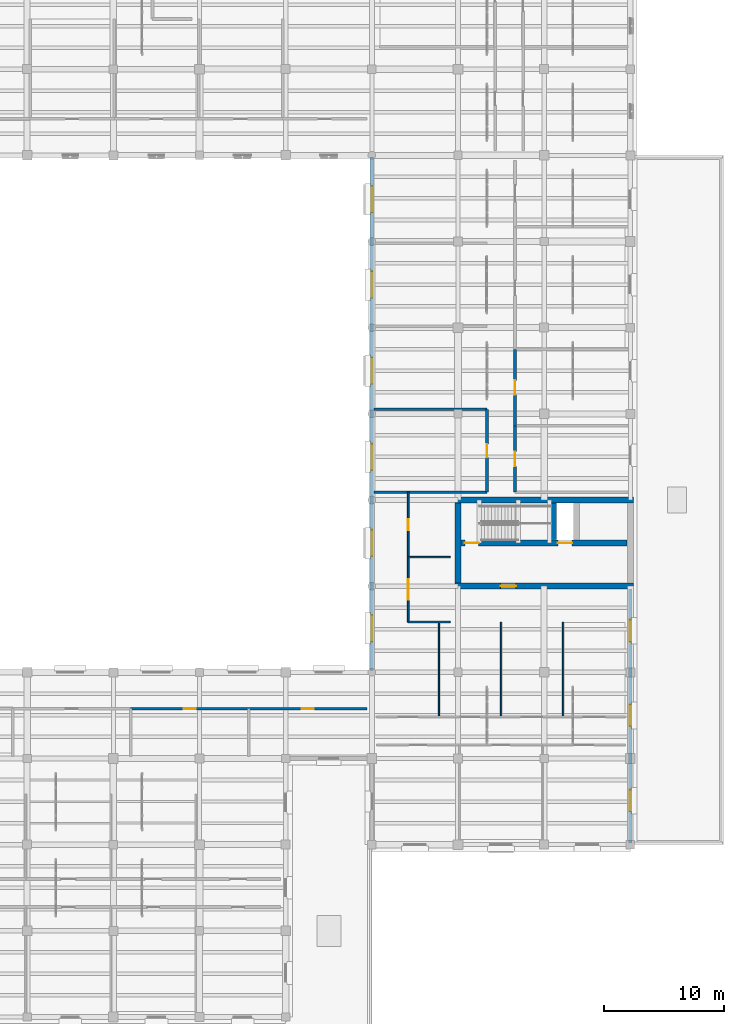
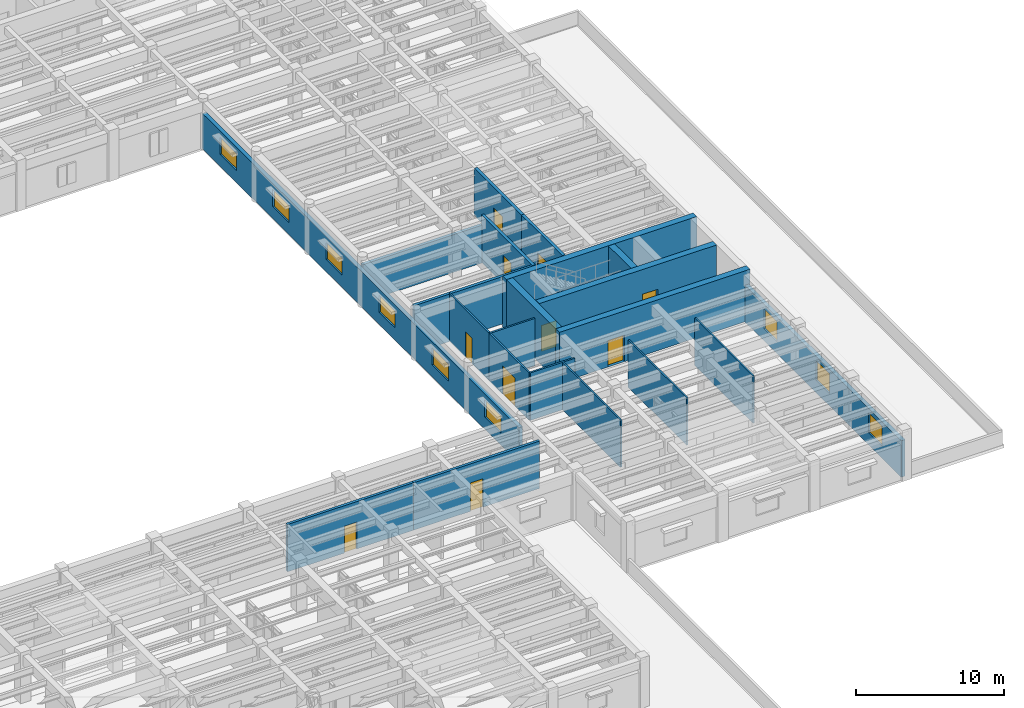
# One storey, part 60 of 76: 21 walls, 10 doors, 9 windows, 19 openings.
"""IFC4 building model written with IfcOpenShell, lengths in metres."""

from ifc_helpers import new_model, si_unit, direction, frame, frame_2d, origin, place, context, subcontext, project, spatial, rectangle, extrude, material, layer, layer_set, type_object, element, fill, save


model = new_model("IFC4")

# Units and contexts
model_context = context("Model", 3, precision=1e-05, world=origin(), true_north=direction((0.0, 1.0)))
body_context = subcontext(model_context, "Body", "Model", "MODEL_VIEW")
ifc_project = project(units=[si_unit("LENGTHUNIT", "METRE"), si_unit("AREAUNIT", "SQUARE_METRE"), si_unit("VOLUMEUNIT", "CUBIC_METRE"), si_unit("PLANEANGLEUNIT", "RADIAN"), si_unit("MASSUNIT", "GRAM", prefix="KILO")], contexts=[model_context])

# Site, building, storey
site_placement = place(None, origin())
site = spatial("IfcSite", under=ifc_project, at=site_placement, CompositionType="ELEMENT")
building_placement = place(site_placement, origin())
building = spatial("IfcBuilding", under=site, at=building_placement, Name="Mithqara Police Headquarters", CompositionType="ELEMENT")
storey_placement = place(building_placement, frame((0.0, 0.0, 5.39990234375)))
storey = spatial("IfcBuildingStorey", under=building, at=storey_placement, Name="L01", CompositionType="ELEMENT", Elevation=5.39990234375)

# Wall, openings, windows
ifc_material_1 = material(Name="Ochre masonry cavity wall, 35 MPa", Category="masonry")
ifc_layer_1 = layer(ifc_material_1, 0.300048828125, Name="Ochre masonry cavity wall, 35 MPa")
ifc_layer_set_1 = layer_set([ifc_layer_1], Name="Ochre masonry cavity wall, 35 MPa")
wall_type_1 = type_object("IfcWallType", Name="EXT WALL OCHRE BRICK300", PredefinedType="SOLIDWALL", material=ifc_layer_set_1)
wall_1_placement = place(storey_placement, frame((166.199951171875, 21.14990234375, 0.0), z_axis=(0.0, 0.0, 1.0), x_axis=(0.0, 1.0, 0.0)))
wall_1 = element("IfcWall", 1, at=wall_1_placement, inside=storey, type_object=wall_type_1, Name="L01 Exterior Wall 7.1", PredefinedType="SOLIDWALL", context=body_context, shape_type="SweptSolid", body=[
    extrude(rectangle(XDim=21.2001953125, YDim=0.300048828125, at=frame_2d((10.60009765625, 0.0))), origin(), (0.0, 0.0, 1.0), 3.02001953125),
])
opening_1_placement = place(wall_1_placement, frame((2.625, 0.0, 1.0)))
opening_1 = element("IfcOpeningElement", 2, at=opening_1_placement, cuts=wall_1, Name="Opening W-32", PredefinedType="OPENING", context=body_context, shape_type="SweptSolid", body=[
    extrude(rectangle(XDim=1.800048828125, YDim=1.64990234375, at=frame_2d((0.89990234375, 0.824951171875))), frame((0.0, 0.16015625, 0.0), z_axis=(0.0, -1.0, 0.0), x_axis=(1.0, 0.0, 0.0)), (0.0, 0.0, 1.0), 0.320068359375),
])
opening_2_placement = place(wall_1_placement, frame((9.75, 0.0, 1.0)))
opening_2 = element("IfcOpeningElement", 3, at=opening_2_placement, cuts=wall_1, Name="Opening W-32", PredefinedType="OPENING", context=body_context, shape_type="SweptSolid", body=[
    extrude(rectangle(XDim=1.800048828125, YDim=1.64990234375, at=frame_2d((0.89990234375, 0.824951171875))), frame((0.0, 0.16015625, 0.0), z_axis=(0.0, -1.0, 0.0), x_axis=(1.0, 0.0, 0.0)), (0.0, 0.0, 1.0), 0.320068359375),
])
opening_3_placement = place(wall_1_placement, frame((16.824951171875, 0.0, 1.0)))
opening_3 = element("IfcOpeningElement", 4, at=opening_3_placement, cuts=wall_1, Name="Opening W-32", PredefinedType="OPENING", context=body_context, shape_type="SweptSolid", body=[
    extrude(rectangle(XDim=1.800048828125, YDim=1.64990234375, at=frame_2d((0.89990234375, 0.824951171875))), frame((0.0, 0.16015625, 0.0), z_axis=(0.0, -1.0, 0.0), x_axis=(1.0, 0.0, 0.0)), (0.0, 0.0, 1.0), 0.320068359375),
])
ifc_material_2 = material(Name="Spectrally selective double low-e glass", Category="glass")
window_type_1 = type_object("IfcWindowType", Name="WINDOW 1800X1650", PartitioningType="DOUBLE_PANEL_VERTICAL", PredefinedType="WINDOW", material=ifc_material_2)
window_1_placement = place(opening_1_placement, origin())
window_1 = element("IfcWindow", 5, at=window_1_placement, inside=storey, type_object=window_type_1, Name="L01 Deep-Set Punched Window 7.1", OverallHeight=1.64990234375, OverallWidth=1.800048828125, PartitioningType="SINGLE_PANEL", PredefinedType="WINDOW", context=body_context, shape_type="SweptSolid", body=[
    extrude(rectangle(XDim=1.800048828125, YDim=1.64990234375, at=frame_2d((0.89990234375, 0.824951171875))), frame((0.0, 0.030029296875, 0.0), z_axis=(0.0, -1.0, 0.0), x_axis=(1.0, 0.0, 0.0)), (0.0, 0.0, 1.0), 0.06005859375),
])
fill(opening_1, window_1)
window_2_placement = place(opening_2_placement, origin())
window_2 = element("IfcWindow", 6, at=window_2_placement, inside=storey, type_object=window_type_1, Name="L01 Deep-Set Punched Window 7.2", OverallHeight=1.64990234375, OverallWidth=1.800048828125, PartitioningType="SINGLE_PANEL", PredefinedType="WINDOW", context=body_context, shape_type="SweptSolid", body=[
    extrude(rectangle(XDim=1.800048828125, YDim=1.64990234375, at=frame_2d((0.89990234375, 0.824951171875))), frame((0.0, 0.030029296875, 0.0), z_axis=(0.0, -1.0, 0.0), x_axis=(1.0, 0.0, 0.0)), (0.0, 0.0, 1.0), 0.06005859375),
])
fill(opening_2, window_2)
window_3_placement = place(opening_3_placement, origin())
window_3 = element("IfcWindow", 7, at=window_3_placement, inside=storey, type_object=window_type_1, Name="L01 Deep-Set Punched Window 7.3", OverallHeight=1.64990234375, OverallWidth=1.800048828125, PartitioningType="SINGLE_PANEL", PredefinedType="WINDOW", context=body_context, shape_type="SweptSolid", body=[
    extrude(rectangle(XDim=1.800048828125, YDim=1.64990234375, at=frame_2d((0.89990234375, 0.824951171875))), frame((0.0, 0.030029296875, 0.0), z_axis=(0.0, -1.0, 0.0), x_axis=(1.0, 0.0, 0.0)), (0.0, 0.0, 1.0), 0.06005859375),
])
fill(opening_3, window_3)

wall_2_placement = place(storey_placement, frame((144.60009765625, 78.449951171875, 0.0), z_axis=(0.0, 0.0, 1.0), x_axis=(0.0, -1.0, 0.0)))
wall_2 = element("IfcWall", 8, at=wall_2_placement, inside=storey, type_object=wall_type_1, Name="L01 Exterior Wall 4.1", PredefinedType="SOLIDWALL", context=body_context, shape_type="SweptSolid", body=[
    extrude(rectangle(XDim=42.89990234375, YDim=0.300048828125, at=frame_2d((21.449951171875, 0.0))), origin(), (0.0, 0.0, 1.0), 2.920166015625),
])
opening_4_placement = place(wall_2_placement, frame((38.27490234375, 0.0, 1.0)))
opening_4 = element("IfcOpeningElement", 9, at=opening_4_placement, cuts=wall_2, Name="Opening W-41", PredefinedType="OPENING", context=body_context, shape_type="SweptSolid", body=[
    extrude(rectangle(XDim=2.199951171875, YDim=1.39990234375, at=frame_2d((1.10009765625, 0.699951171875))), frame((0.0, 0.16015625, 0.0), z_axis=(0.0, -1.0, 0.0), x_axis=(1.0, 0.0, 0.0)), (0.0, 0.0, 1.0), 0.320068359375),
])
opening_5_placement = place(wall_2_placement, frame((31.14990234375, 0.0, 1.0)))
opening_5 = element("IfcOpeningElement", 10, at=opening_5_placement, cuts=wall_2, Name="Opening W-41", PredefinedType="OPENING", context=body_context, shape_type="SweptSolid", body=[
    extrude(rectangle(XDim=2.199951171875, YDim=1.39990234375, at=frame_2d((1.10009765625, 0.699951171875))), frame((0.0, 0.16015625, 0.0), z_axis=(0.0, -1.0, 0.0), x_axis=(1.0, 0.0, 0.0)), (0.0, 0.0, 1.0), 0.320068359375),
])
opening_6_placement = place(wall_2_placement, frame((23.949951171875, 0.0, 1.0)))
opening_6 = element("IfcOpeningElement", 11, at=opening_6_placement, cuts=wall_2, Name="Opening W-41", PredefinedType="OPENING", context=body_context, shape_type="SweptSolid", body=[
    extrude(rectangle(XDim=2.199951171875, YDim=1.39990234375, at=frame_2d((1.10009765625, 0.699951171875))), frame((0.0, 0.16015625, 0.0), z_axis=(0.0, -1.0, 0.0), x_axis=(1.0, 0.0, 0.0)), (0.0, 0.0, 1.0), 0.320068359375),
])
opening_7_placement = place(wall_2_placement, frame((16.75, 0.0, 1.0)))
opening_7 = element("IfcOpeningElement", 12, at=opening_7_placement, cuts=wall_2, Name="Opening W-41", PredefinedType="OPENING", context=body_context, shape_type="SweptSolid", body=[
    extrude(rectangle(XDim=2.199951171875, YDim=1.39990234375, at=frame_2d((1.10009765625, 0.699951171875))), frame((0.0, 0.16015625, 0.0), z_axis=(0.0, -1.0, 0.0), x_axis=(1.0, 0.0, 0.0)), (0.0, 0.0, 1.0), 0.320068359375),
])
opening_8_placement = place(wall_2_placement, frame((9.550048828125, 0.0, 1.0)))
opening_8 = element("IfcOpeningElement", 13, at=opening_8_placement, cuts=wall_2, Name="Opening W-41", PredefinedType="OPENING", context=body_context, shape_type="SweptSolid", body=[
    extrude(rectangle(XDim=2.199951171875, YDim=1.39990234375, at=frame_2d((1.10009765625, 0.699951171875))), frame((0.0, 0.16015625, 0.0), z_axis=(0.0, -1.0, 0.0), x_axis=(1.0, 0.0, 0.0)), (0.0, 0.0, 1.0), 0.320068359375),
])
opening_9_placement = place(wall_2_placement, frame((2.425048828125, 0.0, 1.0)))
opening_9 = element("IfcOpeningElement", 14, at=opening_9_placement, cuts=wall_2, Name="Opening W-41", PredefinedType="OPENING", context=body_context, shape_type="SweptSolid", body=[
    extrude(rectangle(XDim=2.199951171875, YDim=1.39990234375, at=frame_2d((1.10009765625, 0.699951171875))), frame((0.0, 0.16015625, 0.0), z_axis=(0.0, -1.0, 0.0), x_axis=(1.0, 0.0, 0.0)), (0.0, 0.0, 1.0), 0.320068359375),
])
window_type_2 = type_object("IfcWindowType", Name="WINDOW 2200X1400", PartitioningType="DOUBLE_PANEL_VERTICAL", PredefinedType="WINDOW", material=ifc_material_2)
window_4_placement = place(opening_4_placement, origin())
window_4 = element("IfcWindow", 15, at=window_4_placement, inside=storey, type_object=window_type_2, Name="L01 Deep-Set Punched Window 4.1", OverallHeight=1.39990234375, OverallWidth=2.199951171875, PartitioningType="SINGLE_PANEL", PredefinedType="WINDOW", context=body_context, shape_type="SweptSolid", body=[
    extrude(rectangle(XDim=2.199951171875, YDim=1.39990234375, at=frame_2d((1.10009765625, 0.699951171875))), frame((0.0, 0.030029296875, 0.0), z_axis=(0.0, -1.0, 0.0), x_axis=(1.0, 0.0, 0.0)), (0.0, 0.0, 1.0), 0.06005859375),
])
fill(opening_4, window_4)
window_5_placement = place(opening_5_placement, origin())
window_5 = element("IfcWindow", 16, at=window_5_placement, inside=storey, type_object=window_type_2, Name="L01 Deep-Set Punched Window 4.2", OverallHeight=1.39990234375, OverallWidth=2.199951171875, PartitioningType="SINGLE_PANEL", PredefinedType="WINDOW", context=body_context, shape_type="SweptSolid", body=[
    extrude(rectangle(XDim=2.199951171875, YDim=1.39990234375, at=frame_2d((1.10009765625, 0.699951171875))), frame((0.0, 0.030029296875, 0.0), z_axis=(0.0, -1.0, 0.0), x_axis=(1.0, 0.0, 0.0)), (0.0, 0.0, 1.0), 0.06005859375),
])
fill(opening_5, window_5)
window_6_placement = place(opening_6_placement, origin())
window_6 = element("IfcWindow", 17, at=window_6_placement, inside=storey, type_object=window_type_2, Name="L01 Deep-Set Punched Window 4.3", OverallHeight=1.39990234375, OverallWidth=2.199951171875, PartitioningType="SINGLE_PANEL", PredefinedType="WINDOW", context=body_context, shape_type="SweptSolid", body=[
    extrude(rectangle(XDim=2.199951171875, YDim=1.39990234375, at=frame_2d((1.10009765625, 0.699951171875))), frame((0.0, 0.030029296875, 0.0), z_axis=(0.0, -1.0, 0.0), x_axis=(1.0, 0.0, 0.0)), (0.0, 0.0, 1.0), 0.06005859375),
])
fill(opening_6, window_6)
window_7_placement = place(opening_7_placement, origin())
window_7 = element("IfcWindow", 18, at=window_7_placement, inside=storey, type_object=window_type_2, Name="L01 Deep-Set Punched Window 4.4", OverallHeight=1.39990234375, OverallWidth=2.199951171875, PartitioningType="SINGLE_PANEL", PredefinedType="WINDOW", context=body_context, shape_type="SweptSolid", body=[
    extrude(rectangle(XDim=2.199951171875, YDim=1.39990234375, at=frame_2d((1.10009765625, 0.699951171875))), frame((0.0, 0.030029296875, 0.0), z_axis=(0.0, -1.0, 0.0), x_axis=(1.0, 0.0, 0.0)), (0.0, 0.0, 1.0), 0.06005859375),
])
fill(opening_7, window_7)
window_8_placement = place(opening_8_placement, origin())
window_8 = element("IfcWindow", 19, at=window_8_placement, inside=storey, type_object=window_type_2, Name="L01 Deep-Set Punched Window 4.5", OverallHeight=1.39990234375, OverallWidth=2.199951171875, PartitioningType="SINGLE_PANEL", PredefinedType="WINDOW", context=body_context, shape_type="SweptSolid", body=[
    extrude(rectangle(XDim=2.199951171875, YDim=1.39990234375, at=frame_2d((1.10009765625, 0.699951171875))), frame((0.0, 0.030029296875, 0.0), z_axis=(0.0, -1.0, 0.0), x_axis=(1.0, 0.0, 0.0)), (0.0, 0.0, 1.0), 0.06005859375),
])
fill(opening_8, window_8)
window_9_placement = place(opening_9_placement, origin())
window_9 = element("IfcWindow", 20, at=window_9_placement, inside=storey, type_object=window_type_2, Name="L01 Deep-Set Punched Window 4.6", OverallHeight=1.39990234375, OverallWidth=2.199951171875, PartitioningType="SINGLE_PANEL", PredefinedType="WINDOW", context=body_context, shape_type="SweptSolid", body=[
    extrude(rectangle(XDim=2.199951171875, YDim=1.39990234375, at=frame_2d((1.10009765625, 0.699951171875))), frame((0.0, 0.030029296875, 0.0), z_axis=(0.0, -1.0, 0.0), x_axis=(1.0, 0.0, 0.0)), (0.0, 0.0, 1.0), 0.06005859375),
])
fill(opening_9, window_9)

# Walls
ifc_material_3 = material(Name="Gypsum acoustic stud partition", Category="gypsum")
ifc_layer_2 = layer(ifc_material_3, 0.1201171875, Name="Gypsum acoustic stud partition")
ifc_layer_set_2 = layer_set([ifc_layer_2], Name="Gypsum acoustic stud partition")
wall_type_2 = type_object("IfcWallType", Name="PART WALL 120", PredefinedType="PARTITIONING", material=ifc_layer_set_2)
for number, where, z_axis, x_axis, name in (
    (21, (150.2099609375, 31.679931640625, 0.0), (0.0, 0.0, 1.0), (0.0, 1.0, 0.0), "L01 Room Partition Photography Darkroom"),
    (22, (155.39990234375, 31.679931640625, 0.0), (0.0, 0.0, 1.0), (0.0, 1.0, 0.0), "L01 Room Partition Forensic Laboratory"),
    (23, (160.590087890625, 31.679931640625, 0.0), (0.0, 0.0, 1.0), (0.0, 1.0, 0.0), "L01 Room Partition Latent Prints Laboratory"),
):
    element("IfcWall", number, at=place(storey_placement, frame(where, z_axis=z_axis, x_axis=x_axis)), inside=storey, type_object=wall_type_2, Name=name, PredefinedType="PARTITIONING", context=body_context, shape_type="SweptSolid", body=[
        extrude(rectangle(XDim=7.920166015625, YDim=0.1201171875, at=frame_2d((3.9599609375, 0.0))), origin(), (0.0, 0.0, 1.0), 3.920166015625),
    ])
ifc_layer_3 = layer(ifc_material_3, 0.139892578125, Name="Gypsum acoustic stud partition")
ifc_layer_set_3 = layer_set([ifc_layer_3], Name="Gypsum acoustic stud partition")
wall_type_3 = type_object("IfcWallType", Name="PART WALL 140", PredefinedType="PARTITIONING", material=ifc_layer_set_3)
wall_3_placement = place(storey_placement, frame((147.639892578125, 39.60009765625, 0.0), z_axis=(0.0, 0.0, 1.0), x_axis=(1.0, 0.0, 0.0)))
element("IfcWall", 24, at=wall_3_placement, inside=storey, type_object=wall_type_3, Name="L01 Partition End Closure E0", PredefinedType="PARTITIONING", context=body_context, shape_type="SweptSolid", body=[
    extrude(rectangle(XDim=3.510009765625, YDim=0.139892578125, at=frame_2d((1.7548828125, 0.0))), origin(), (0.0, 0.0, 1.0), 3.920166015625),
])

# Wall, opening, door
wall_4_placement = place(storey_placement, frame((147.639892578125, 39.60009765625, 0.0), z_axis=(0.0, 0.0, 1.0), x_axis=(0.0, 1.0, 0.0)))
wall_4 = element("IfcWall", 25, at=wall_4_placement, inside=storey, type_object=wall_type_3, Name="L01 Corridor Wall Forensic Laboratory", PredefinedType="PARTITIONING", context=body_context, shape_type="SweptSolid", body=[
    extrude(rectangle(XDim=5.4248046875, YDim=0.139892578125, at=frame_2d((2.71240234375, 0.0))), origin(), (0.0, 0.0, 1.0), 3.920166015625),
])
opening_10_placement = place(wall_4_placement, frame((1.8525390625, 0.0, 0.0)))
opening_10 = element("IfcOpeningElement", 26, at=opening_10_placement, cuts=wall_4, Name="Opening D-24", PredefinedType="OPENING", context=body_context, shape_type="SweptSolid", body=[
    extrude(rectangle(XDim=1.719970703125, YDim=2.35009765625, at=frame_2d((0.85986328125, 1.175048828125))), frame((0.0, 0.080078125, 0.0), z_axis=(0.0, -1.0, 0.0), x_axis=(1.0, 0.0, 0.0)), (0.0, 0.0, 1.0), 0.159912109375),
])
ifc_material_4 = material(Name="Bronze anodised aluminium 6063-T6", Category="aluminium")
door_type_1 = type_object("IfcDoorType", Name="INT DOOR 1720X2350", OperationType="NOTDEFINED", PredefinedType="DOOR", material=ifc_material_4)
door_1_placement = place(opening_10_placement, origin())
door_1 = element("IfcDoor", 27, at=door_1_placement, inside=storey, type_object=door_type_1, Name="Forensic Laboratory Entry Door", OperationType="DOUBLE_DOOR_SINGLE_SWING", OverallHeight=2.35009765625, OverallWidth=1.719970703125, PredefinedType="DOOR", context=body_context, shape_type="SweptSolid", body=[
    extrude(rectangle(XDim=1.719970703125, YDim=2.35009765625, at=frame_2d((0.85986328125, 1.175048828125))), frame((0.0, 0.02490234375, 0.0), z_axis=(0.0, -1.0, 0.0), x_axis=(1.0, 0.0, 0.0)), (0.0, 0.0, 1.0), 0.050048828125),
])
fill(opening_10, door_1)

# Wall
wall_5_placement = place(storey_placement, frame((147.639892578125, 45.02490234375, 0.0), z_axis=(0.0, 0.0, 1.0), x_axis=(1.0, 0.0, 0.0)))
element("IfcWall", 28, at=wall_5_placement, inside=storey, type_object=wall_type_3, Name="L01 Room Partition Forensic Laboratory", PredefinedType="PARTITIONING", context=body_context, shape_type="SweptSolid", body=[
    extrude(rectangle(XDim=3.510009765625, YDim=0.139892578125, at=frame_2d((1.7548828125, 0.0))), origin(), (0.0, 0.0, 1.0), 3.920166015625),
])

# Wall, opening, door
wall_6_placement = place(storey_placement, frame((147.639892578125, 45.02490234375, 0.0), z_axis=(0.0, 0.0, 1.0), x_axis=(0.0, 1.0, 0.0)))
wall_6 = element("IfcWall", 29, at=wall_6_placement, inside=storey, type_object=wall_type_3, Name="L01 Corridor Wall Latent Prints Laboratory", PredefinedType="PARTITIONING", context=body_context, shape_type="SweptSolid", body=[
    extrude(rectangle(XDim=5.425048828125, YDim=0.139892578125, at=frame_2d((2.71240234375, 0.0))), origin(), (0.0, 0.0, 1.0), 3.920166015625),
])
opening_11_placement = place(wall_6_placement, frame((2.25244140625, 0.0, 0.0)))
opening_11 = element("IfcOpeningElement", 30, at=opening_11_placement, cuts=wall_6, Name="Opening D-01", PredefinedType="OPENING", context=body_context, shape_type="SweptSolid", body=[
    extrude(rectangle(XDim=0.919921875, YDim=2.10009765625, at=frame_2d((0.4599609375, 1.050048828125))), frame((0.0, 0.080078125, 0.0), z_axis=(0.0, -1.0, 0.0), x_axis=(1.0, 0.0, 0.0)), (0.0, 0.0, 1.0), 0.159912109375),
])
ifc_material_5 = material(Name="Acoustic solid-core timber leaf", Category="wood")
door_type_2 = type_object("IfcDoorType", Name="INT DOOR 920X2100", OperationType="NOTDEFINED", PredefinedType="DOOR", material=ifc_material_5)
door_2_placement = place(opening_11_placement, origin())
door_2 = element("IfcDoor", 31, at=door_2_placement, inside=storey, type_object=door_type_2, Name="Latent Prints Laboratory Entry Door", OperationType="SINGLE_SWING_RIGHT", OverallHeight=2.10009765625, OverallWidth=0.919921875, PredefinedType="DOOR", context=body_context, shape_type="SweptSolid", body=[
    extrude(rectangle(XDim=0.919921875, YDim=2.10009765625, at=frame_2d((0.4599609375, 1.050048828125))), frame((0.0, 0.02490234375, 0.0), z_axis=(0.0, -1.0, 0.0), x_axis=(1.0, 0.0, 0.0)), (0.0, 0.0, 1.0), 0.050048828125),
])
fill(opening_11, door_2)

ifc_material_6 = material(Name="Concrete C40/50", Category="concrete")
ifc_layer_4 = layer(ifc_material_6, 0.2099609375, Name="Concrete C40/50")
ifc_layer_set_4 = layer_set([ifc_layer_4], Name="Concrete C40/50")
wall_type_4 = type_object("IfcWallType", Name="PART WALL 210", PredefinedType="PARTITIONING", material=ifc_layer_set_4)
wall_7_placement = place(storey_placement, frame((124.447998046875, 32.360107421875, 0.0), z_axis=(0.0, 0.0, 1.0), x_axis=(1.0, 0.0, 0.0)))
wall_7 = element("IfcWall", 32, at=wall_7_placement, inside=storey, type_object=wall_type_4, Name="L01 Corridor Wall Juvenile Welfare Consultation Room", PredefinedType="PARTITIONING", context=body_context, shape_type="SweptSolid", body=[
    extrude(rectangle(XDim=9.865966796875, YDim=0.2099609375, at=frame_2d((4.93310546875, 0.0))), origin(), (0.0, 0.0, 1.0), 3.920166015625),
])
opening_12_placement = place(wall_7_placement, frame((4.443115234375, 0.0, 0.0)))
opening_12 = element("IfcOpeningElement", 33, at=opening_12_placement, cuts=wall_7, Name="Opening D-05", PredefinedType="OPENING", context=body_context, shape_type="SweptSolid", body=[
    extrude(rectangle(XDim=0.97998046875, YDim=2.219970703125, at=frame_2d((0.489990234375, 1.10986328125))), frame((0.0, 0.114990234375, 0.0), z_axis=(0.0, -1.0, 0.0), x_axis=(1.0, 0.0, 0.0)), (0.0, 0.0, 1.0), 0.22998046875),
])
door_type_3 = type_object("IfcDoorType", Name="INT DOOR 980X2220", OperationType="NOTDEFINED", PredefinedType="DOOR", material=ifc_material_5)
door_3_placement = place(opening_12_placement, frame((0.97998046875, 0.0, 0.0), z_axis=(0.0, 0.0, 1.0), x_axis=(-1.0, 0.0, 0.0)))
door_3 = element("IfcDoor", 34, at=door_3_placement, inside=storey, type_object=door_type_3, Name="Juvenile Welfare Consultation Room Entry Door", OperationType="SINGLE_SWING_RIGHT", OverallHeight=2.219970703125, OverallWidth=0.97998046875, PredefinedType="DOOR", context=body_context, shape_type="SweptSolid", body=[
    extrude(rectangle(XDim=0.97998046875, YDim=2.219970703125, at=frame_2d((0.489990234375, 1.10986328125))), frame((0.0, 0.02490234375, 0.0), z_axis=(0.0, -1.0, 0.0), x_axis=(1.0, 0.0, 0.0)), (0.0, 0.0, 1.0), 0.050048828125),
])
fill(opening_12, door_3)

wall_8_placement = place(storey_placement, frame((134.31396484375, 32.360107421875, 0.0), z_axis=(0.0, 0.0, 1.0), x_axis=(1.0, 0.0, 0.0)))
wall_8 = element("IfcWall", 35, at=wall_8_placement, inside=storey, type_object=wall_type_4, Name="L01 Corridor Wall Family Protection Suite", PredefinedType="PARTITIONING", context=body_context, shape_type="SweptSolid", body=[
    extrude(rectangle(XDim=9.865966796875, YDim=0.2099609375, at=frame_2d((4.93310546875, 0.0))), origin(), (0.0, 0.0, 1.0), 3.920166015625),
])
opening_13_placement = place(wall_8_placement, frame((4.443115234375, 0.0, 0.0)))
opening_13 = element("IfcOpeningElement", 36, at=opening_13_placement, cuts=wall_8, Name="Opening D-06", PredefinedType="OPENING", context=body_context, shape_type="SweptSolid", body=[
    extrude(rectangle(XDim=0.97998046875, YDim=2.35009765625, at=frame_2d((0.489990234375, 1.175048828125))), frame((0.0, 0.114990234375, 0.0), z_axis=(0.0, -1.0, 0.0), x_axis=(1.0, 0.0, 0.0)), (0.0, 0.0, 1.0), 0.22998046875),
])
door_type_4 = type_object("IfcDoorType", Name="INT DOOR 980X2350", OperationType="NOTDEFINED", PredefinedType="DOOR", material=ifc_material_5)
door_4_placement = place(opening_13_placement, frame((0.97998046875, 0.0, 0.0), z_axis=(0.0, 0.0, 1.0), x_axis=(-1.0, 0.0, 0.0)))
door_4 = element("IfcDoor", 37, at=door_4_placement, inside=storey, type_object=door_type_4, Name="Family Protection Suite Entry Door", OperationType="SINGLE_SWING_LEFT", OverallHeight=2.35009765625, OverallWidth=0.97998046875, PredefinedType="DOOR", context=body_context, shape_type="SweptSolid", body=[
    extrude(rectangle(XDim=0.97998046875, YDim=2.35009765625, at=frame_2d((0.489990234375, 1.175048828125))), frame((0.0, 0.02490234375, 0.0), z_axis=(0.0, -1.0, 0.0), x_axis=(1.0, 0.0, 0.0)), (0.0, 0.0, 1.0), 0.050048828125),
])
fill(opening_13, door_4)

# Wall
ifc_layer_5 = layer(ifc_material_6, 0.22998046875, Name="Concrete C40/50")
ifc_layer_set_5 = layer_set([ifc_layer_5], Name="Concrete C40/50")
wall_type_5 = type_object("IfcWallType", Name="PART WALL 230", PredefinedType="PARTITIONING", material=ifc_layer_set_5)
wall_9_placement = place(storey_placement, frame((144.780029296875, 50.449951171875, 0.0), z_axis=(0.0, 0.0, 1.0), x_axis=(1.0, 0.0, 0.0)))
element("IfcWall", 38, at=wall_9_placement, inside=storey, type_object=wall_type_5, Name="L01 Partition End Closure E0", PredefinedType="PARTITIONING", context=body_context, shape_type="SweptSolid", body=[
    extrude(rectangle(XDim=9.449951171875, YDim=0.22998046875, at=frame_2d((4.72509765625, 0.0))), origin(), (0.0, 0.0, 1.0), 3.920166015625),
])

# Wall, opening, door
wall_10_placement = place(storey_placement, frame((154.22998046875, 50.449951171875, 0.0), z_axis=(0.0, 0.0, 1.0), x_axis=(0.0, 1.0, 0.0)))
wall_10 = element("IfcWall", 39, at=wall_10_placement, inside=storey, type_object=wall_type_5, Name="L01 Corridor Wall Forensic Laboratory", PredefinedType="PARTITIONING", context=body_context, shape_type="SweptSolid", body=[
    extrude(rectangle(XDim=6.93310546875, YDim=0.22998046875, at=frame_2d((3.466552734375, 0.0))), origin(), (0.0, 0.0, 1.0), 3.920166015625),
])
opening_14_placement = place(wall_10_placement, frame((2.91650390625, 0.0, 0.0)))
opening_14 = element("IfcOpeningElement", 40, at=opening_14_placement, cuts=wall_10, Name="Opening D-12", PredefinedType="OPENING", context=body_context, shape_type="SweptSolid", body=[
    extrude(rectangle(XDim=1.10009765625, YDim=2.35009765625, at=frame_2d((0.550048828125, 1.175048828125))), frame((0.0, 0.125, 0.0), z_axis=(0.0, -1.0, 0.0), x_axis=(1.0, 0.0, 0.0)), (0.0, 0.0, 1.0), 0.25),
])
door_type_5 = type_object("IfcDoorType", Name="INT DOOR 1100X2350", OperationType="NOTDEFINED", PredefinedType="DOOR", material=ifc_material_5)
door_5_placement = place(opening_14_placement, frame((1.10009765625, 0.0, 0.0), z_axis=(0.0, 0.0, 1.0), x_axis=(-1.0, 0.0, 0.0)))
door_5 = element("IfcDoor", 41, at=door_5_placement, inside=storey, type_object=door_type_5, Name="Forensic Laboratory Entry Door", OperationType="SINGLE_SWING_LEFT", OverallHeight=2.35009765625, OverallWidth=1.10009765625, PredefinedType="DOOR", context=body_context, shape_type="SweptSolid", body=[
    extrude(rectangle(XDim=1.10009765625, YDim=2.35009765625, at=frame_2d((0.550048828125, 1.175048828125))), frame((0.0, 0.02490234375, 0.0), z_axis=(0.0, -1.0, 0.0), x_axis=(1.0, 0.0, 0.0)), (0.0, 0.0, 1.0), 0.050048828125),
])
fill(opening_14, door_5)

# Wall
wall_11_placement = place(storey_placement, frame((144.780029296875, 57.383056640625, 0.0), z_axis=(0.0, 0.0, 1.0), x_axis=(1.0, 0.0, 0.0)))
element("IfcWall", 42, at=wall_11_placement, inside=storey, type_object=wall_type_5, Name="L01 Room Partition Forensic Laboratory", PredefinedType="PARTITIONING", context=body_context, shape_type="SweptSolid", body=[
    extrude(rectangle(XDim=9.449951171875, YDim=0.22998046875, at=frame_2d((4.72509765625, 0.0))), origin(), (0.0, 0.0, 1.0), 3.1201171875),
])

# Wall, opening, door
wall_12_placement = place(storey_placement, frame((156.570068359375, 50.449951171875, 0.0), z_axis=(0.0, 0.0, 1.0), x_axis=(0.0, 1.0, 0.0)))
wall_12 = element("IfcWall", 43, at=wall_12_placement, inside=storey, type_object=wall_type_5, Name="L01 Corridor Wall Forensic Laboratory", PredefinedType="PARTITIONING", context=body_context, shape_type="SweptSolid", body=[
    extrude(rectangle(XDim=5.546142578125, YDim=0.22998046875, at=frame_2d((2.77294921875, 0.0))), origin(), (0.0, 0.0, 1.0), 3.920166015625),
])
opening_15_placement = place(wall_12_placement, frame((2.1630859375, 0.0, 0.0)))
opening_15 = element("IfcOpeningElement", 44, at=opening_15_placement, cuts=wall_12, Name="Opening D-13", PredefinedType="OPENING", context=body_context, shape_type="SweptSolid", body=[
    extrude(rectangle(XDim=1.219970703125, YDim=2.10009765625, at=frame_2d((0.60986328125, 1.050048828125))), frame((0.0, 0.125, 0.0), z_axis=(0.0, -1.0, 0.0), x_axis=(1.0, 0.0, 0.0)), (0.0, 0.0, 1.0), 0.25),
])
door_type_6 = type_object("IfcDoorType", Name="INT DOOR 1220X2100", OperationType="NOTDEFINED", PredefinedType="DOOR", material=ifc_material_5)
door_6_placement = place(opening_15_placement, origin())
door_6 = element("IfcDoor", 45, at=door_6_placement, inside=storey, type_object=door_type_6, Name="Forensic Laboratory Entry Door", OperationType="SINGLE_SWING_RIGHT", OverallHeight=2.10009765625, OverallWidth=1.219970703125, PredefinedType="DOOR", context=body_context, shape_type="SweptSolid", body=[
    extrude(rectangle(XDim=1.219970703125, YDim=2.10009765625, at=frame_2d((0.60986328125, 1.050048828125))), frame((0.0, 0.02490234375, 0.0), z_axis=(0.0, -1.0, 0.0), x_axis=(1.0, 0.0, 0.0)), (0.0, 0.0, 1.0), 0.050048828125),
])
fill(opening_15, door_6)

wall_13_placement = place(storey_placement, frame((156.570068359375, 55.99609375, 0.0), z_axis=(0.0, 0.0, 1.0), x_axis=(0.0, 1.0, 0.0)))
wall_13 = element("IfcWall", 46, at=wall_13_placement, inside=storey, type_object=wall_type_5, Name="L01 Corridor Wall Latent Prints Laboratory", PredefinedType="PARTITIONING", context=body_context, shape_type="SweptSolid", body=[
    extrude(rectangle(XDim=6.39599609375, YDim=0.22998046875, at=frame_2d((3.197998046875, 0.0))), origin(), (0.0, 0.0, 1.0), 3.920166015625),
])
opening_16_placement = place(wall_13_placement, frame((2.587890625, 0.0, 0.0)))
opening_16 = element("IfcOpeningElement", 47, at=opening_16_placement, cuts=wall_13, Name="Opening D-14", PredefinedType="OPENING", context=body_context, shape_type="SweptSolid", body=[
    extrude(rectangle(XDim=1.219970703125, YDim=2.219970703125, at=frame_2d((0.60986328125, 1.10986328125))), frame((0.0, 0.125, 0.0), z_axis=(0.0, -1.0, 0.0), x_axis=(1.0, 0.0, 0.0)), (0.0, 0.0, 1.0), 0.25),
])
door_type_7 = type_object("IfcDoorType", Name="INT DOOR 1220X2220", OperationType="NOTDEFINED", PredefinedType="DOOR", material=ifc_material_5)
door_7_placement = place(opening_16_placement, origin())
door_7 = element("IfcDoor", 48, at=door_7_placement, inside=storey, type_object=door_type_7, Name="Latent Prints Laboratory Entry Door", OperationType="SINGLE_SWING_LEFT", OverallHeight=2.219970703125, OverallWidth=1.219970703125, PredefinedType="DOOR", context=body_context, shape_type="SweptSolid", body=[
    extrude(rectangle(XDim=1.219970703125, YDim=2.219970703125, at=frame_2d((0.60986328125, 1.10986328125))), frame((0.0, 0.02490234375, 0.0), z_axis=(0.0, -1.0, 0.0), x_axis=(1.0, 0.0, 0.0)), (0.0, 0.0, 1.0), 0.050048828125),
])
fill(opening_16, door_7)

# Wall
ifc_material_7 = material(Name="Concrete C50/60", Category="concrete")
ifc_layer_6 = layer(ifc_material_7, 0.5, Name="Concrete C50/60")
ifc_layer_set_6 = layer_set([ifc_layer_6], Name="Concrete C50/60")
wall_type_6 = type_object("IfcWallType", Name="SHEAR WALL 500", PredefinedType="SHEAR", material=ifc_layer_set_6)
wall_14_placement = place(storey_placement, frame((151.550048828125, 49.800048828125, 0.0), z_axis=(0.0, 0.0, 1.0), x_axis=(1.0, 0.0, 0.0)))
element("IfcWall", 49, at=wall_14_placement, inside=storey, type_object=wall_type_6, Name="Core C4 Forensics East Shear Wall N", PredefinedType="SHEAR", context=body_context, shape_type="SweptSolid", body=[
    extrude(rectangle(XDim=14.89990234375, YDim=0.5, at=frame_2d((7.449951171875, 0.0))), origin(), (0.0, 0.0, 1.0), 4.2001953125),
])

# Wall, opening, door
wall_15_placement = place(storey_placement, frame((151.550048828125, 42.60009765625, 0.0), z_axis=(0.0, 0.0, 1.0), x_axis=(1.0, 0.0, 0.0)))
wall_15 = element("IfcWall", 50, at=wall_15_placement, inside=storey, type_object=wall_type_6, Name="Core C4 Forensics East Shear Wall S", PredefinedType="SHEAR", context=body_context, shape_type="SweptSolid", body=[
    extrude(rectangle(XDim=14.89990234375, YDim=0.5, at=frame_2d((7.449951171875, 0.0))), origin(), (0.0, 0.0, 1.0), 4.2001953125),
])
opening_17_placement = place(wall_15_placement, frame((3.800048828125, 0.0, 0.0)))
opening_17 = element("IfcOpeningElement", 51, at=opening_17_placement, cuts=wall_15, Name="Opening FD-02", PredefinedType="OPENING", context=body_context, shape_type="SweptSolid", body=[
    extrude(rectangle(XDim=1.300048828125, YDim=2.199951171875, at=frame_2d((0.64990234375, 1.10009765625))), frame((0.0, 0.260009765625, 0.0), z_axis=(0.0, -1.0, 0.0), x_axis=(1.0, 0.0, 0.0)), (0.0, 0.0, 1.0), 0.52001953125),
])
ifc_material_8 = material(Name="Steel S355JR", Category="steel")
door_type_8 = type_object("IfcDoorType", Name="CORE DOOR LOBBY 1300X2200", OperationType="NOTDEFINED", PredefinedType="DOOR", material=ifc_material_8)
door_8_placement = place(opening_17_placement, frame((1.300048828125, 0.0, 0.0), z_axis=(0.0, 0.0, 1.0), x_axis=(-1.0, 0.0, 0.0)))
door_8 = element("IfcDoor", 52, at=door_8_placement, inside=storey, type_object=door_type_8, Name="Core C4 Forensics East Lobby Fire Door L01", OperationType="SINGLE_SWING_RIGHT", OverallHeight=2.199951171875, OverallWidth=1.300048828125, PredefinedType="DOOR", context=body_context, shape_type="SweptSolid", body=[
    extrude(rectangle(XDim=1.300048828125, YDim=2.199951171875, at=frame_2d((0.64990234375, 1.10009765625))), frame((0.0, 0.02490234375, 0.0), z_axis=(0.0, -1.0, 0.0), x_axis=(1.0, 0.0, 0.0)), (0.0, 0.0, 1.0), 0.050048828125),
])
fill(opening_17, door_8)

# Wall
wall_16_placement = place(storey_placement, frame((151.800048828125, 42.860107421875, 0.0), z_axis=(0.0, 0.0, 1.0), x_axis=(0.0, 1.0, 0.0)))
element("IfcWall", 53, at=wall_16_placement, inside=storey, type_object=wall_type_6, Name="Core C4 Forensics East Shear Wall W", PredefinedType="SHEAR", context=body_context, shape_type="SweptSolid", body=[
    extrude(rectangle(XDim=6.679931640625, YDim=0.5, at=frame_2d((3.33984375, 0.0))), origin(), (0.0, 0.0, 1.0), 4.2001953125),
])

# Wall, openings, doors
wall_17_placement = place(storey_placement, frame((152.06005859375, 46.219970703125, 0.0), z_axis=(0.0, 0.0, 1.0), x_axis=(1.0, 0.0, 0.0)))
wall_17 = element("IfcWall", 54, at=wall_17_placement, inside=storey, type_object=wall_type_6, Name="Core C4 Forensics East Shear Wall M", PredefinedType="SHEAR", context=body_context, shape_type="SweptSolid", body=[
    extrude(rectangle(XDim=13.8798828125, YDim=0.5, at=frame_2d((6.93994140625, 0.0))), origin(), (0.0, 0.0, 1.0), 4.2001953125),
])
opening_18_placement = place(wall_17_placement, frame((8.080078125, 0.0, 0.0)))
opening_18 = element("IfcOpeningElement", 55, at=opening_18_placement, cuts=wall_17, Name="Opening LD-02", PredefinedType="OPENING", context=body_context, shape_type="SweptSolid", body=[
    extrude(rectangle(XDim=1.199951171875, YDim=2.14990234375, at=frame_2d((0.60009765625, 1.074951171875))), frame((0.0, 0.260009765625, 0.0), z_axis=(0.0, -1.0, 0.0), x_axis=(1.0, 0.0, 0.0)), (0.0, 0.0, 1.0), 0.52001953125),
])
opening_19_placement = place(wall_17_placement, frame((0.31494140625, 0.0, 0.0)))
opening_19 = element("IfcOpeningElement", 56, at=opening_19_placement, cuts=wall_17, Name="Opening FD-01", PredefinedType="OPENING", context=body_context, shape_type="SweptSolid", body=[
    extrude(rectangle(XDim=1.14990234375, YDim=2.14990234375, at=frame_2d((0.574951171875, 1.074951171875))), frame((0.0, 0.260009765625, 0.0), z_axis=(0.0, -1.0, 0.0), x_axis=(1.0, 0.0, 0.0)), (0.0, 0.0, 1.0), 0.52001953125),
])
door_type_9 = type_object("IfcDoorType", Name="CORE DOOR STAIR 1150X2150", OperationType="NOTDEFINED", PredefinedType="DOOR", material=ifc_material_8)
door_9_placement = place(opening_19_placement, origin())
door_9 = element("IfcDoor", 57, at=door_9_placement, inside=storey, type_object=door_type_9, Name="Stair ST-04 Fire Door L01", OperationType="SINGLE_SWING_LEFT", OverallHeight=2.14990234375, OverallWidth=1.14990234375, PredefinedType="DOOR", context=body_context, shape_type="SweptSolid", body=[
    extrude(rectangle(XDim=1.14990234375, YDim=2.14990234375, at=frame_2d((0.574951171875, 1.074951171875))), frame((0.0, 0.02490234375, 0.0), z_axis=(0.0, -1.0, 0.0), x_axis=(1.0, 0.0, 0.0)), (0.0, 0.0, 1.0), 0.050048828125),
])
fill(opening_19, door_9)
door_type_10 = type_object("IfcDoorType", Name="LIFT DOOR 1200X2150", OperationType="DOUBLE_DOOR_SLIDING", PredefinedType="DOOR", material=ifc_material_8)
door_10_placement = place(opening_18_placement, frame((1.199951171875, 0.0, 0.0), z_axis=(0.0, 0.0, 1.0), x_axis=(-1.0, 0.0, 0.0)))
door_10 = element("IfcDoor", 58, at=door_10_placement, inside=storey, type_object=door_type_10, Name="Lift Landing Door LP-06-L01", OperationType="DOUBLE_DOOR_SLIDING", OverallHeight=2.14990234375, OverallWidth=1.199951171875, PredefinedType="DOOR", context=body_context, shape_type="SweptSolid", body=[
    extrude(rectangle(XDim=1.199951171875, YDim=2.14990234375, at=frame_2d((0.60009765625, 1.074951171875))), frame((0.0, 0.02490234375, 0.0), z_axis=(0.0, -1.0, 0.0), x_axis=(1.0, 0.0, 0.0)), (0.0, 0.0, 1.0), 0.050048828125),
])
fill(opening_18, door_10)

# Wall
wall_18_placement = place(storey_placement, frame((159.780029296875, 46.47998046875, 0.0), z_axis=(0.0, 0.0, 1.0), x_axis=(0.0, 1.0, 0.0)))
element("IfcWall", 59, at=wall_18_placement, inside=storey, type_object=wall_type_6, Name="Core C4 Forensics East Shear Wall X", PredefinedType="SHEAR", context=body_context, shape_type="SweptSolid", body=[
    extrude(rectangle(XDim=3.06005859375, YDim=0.5, at=frame_2d((1.530029296875, 0.0))), origin(), (0.0, 0.0, 1.0), 4.2001953125),
])

save(model, "model.ifc")
